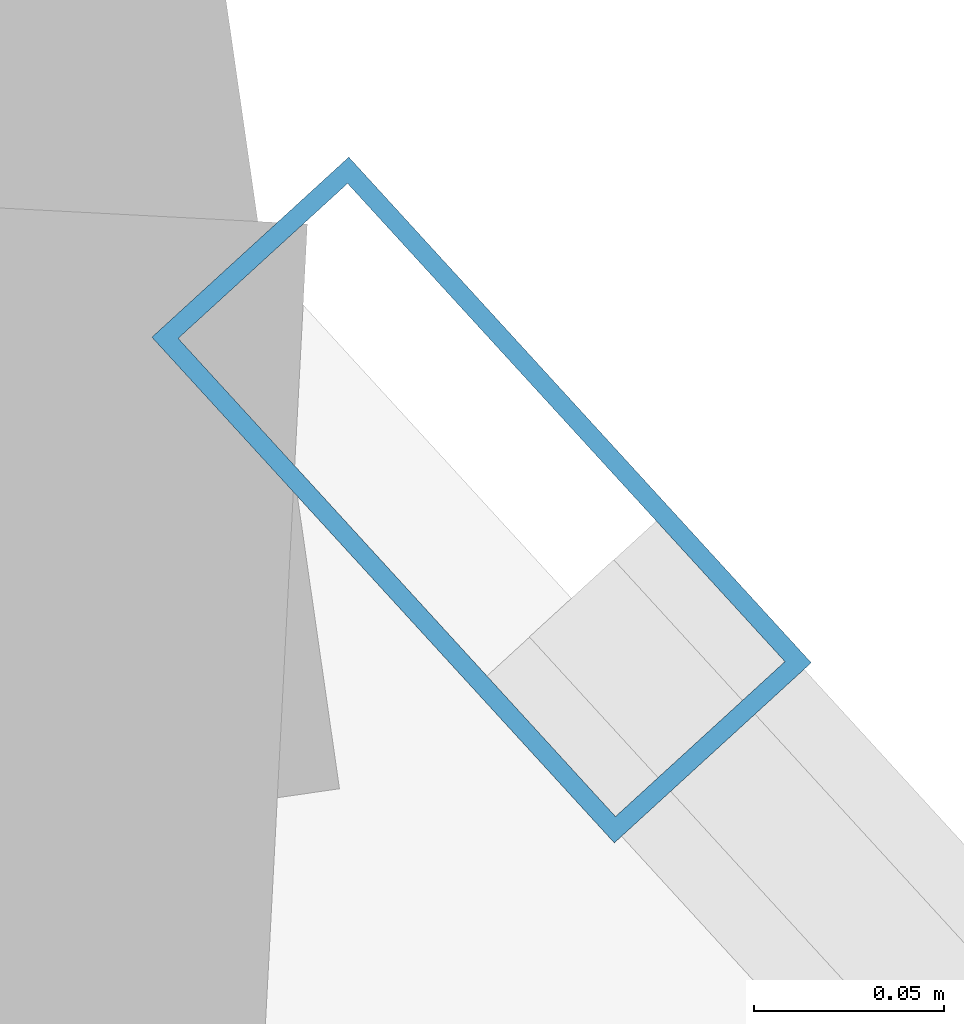
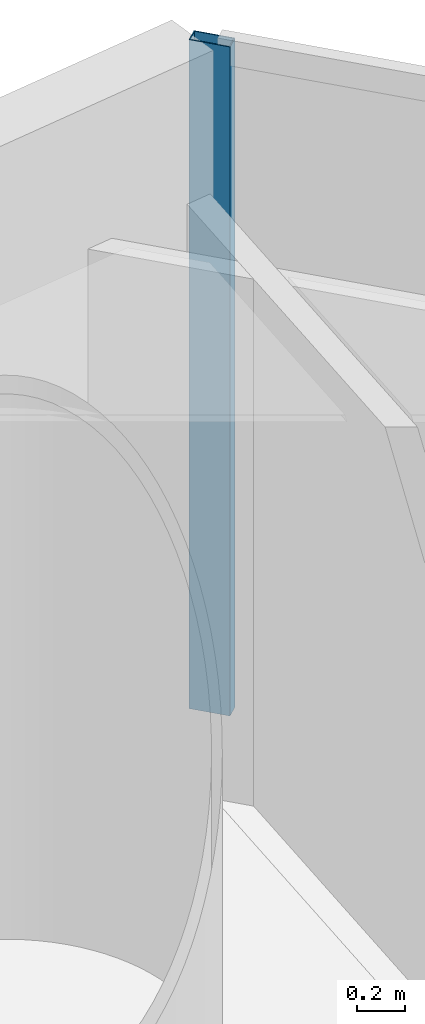
# One storey, part 15 of 22: 1 member, 1 element without a shape of its own.
"""IFC4 building model written with IfcOpenShell, lengths in metres."""

from ifc_helpers import new_model, si_unit, direction, frame, origin, origin_2d, place, context, subcontext, project, spatial, hollow_rectangle, extrude, material, layer, layer_set, material_profile, profile_set, type_object, element, aggregate, save


model = new_model("IFC4")

# Units and contexts
model_context = context("Model", 3, precision=1e-05, world=origin(), true_north=direction((0.0, 1.0)))
body_context = subcontext(model_context, "Body", "Model", "MODEL_VIEW")
ifc_project = project(units=[si_unit("LENGTHUNIT", "METRE"), si_unit("AREAUNIT", "SQUARE_METRE"), si_unit("VOLUMEUNIT", "CUBIC_METRE"), si_unit("PLANEANGLEUNIT", "RADIAN"), si_unit("MASSUNIT", "GRAM", prefix="KILO")], contexts=[model_context])

# Site, building, storey
site_placement = place(None, origin())
site = spatial("IfcSite", under=ifc_project, at=site_placement, CompositionType="ELEMENT")
building_placement = place(site_placement, origin())
building = spatial("IfcBuilding", under=site, at=building_placement, Name="Qianvela Tower", CompositionType="ELEMENT")
storey_placement = place(building_placement, frame((0.0, 0.0, 44.199951171875)))
storey = spatial("IfcBuildingStorey", under=building, at=storey_placement, Name="L10", CompositionType="ELEMENT", Elevation=44.199951171875)

# Curtain wall, member
ifc_material_1 = material(Name="Anodised Architectural Aluminium and Low-E Glass", Category="aluminium")
ifc_layer = layer(ifc_material_1, 0.179931640625)
ifc_layer_set = layer_set([ifc_layer], Name="Anodised Architectural Aluminium and Low-E Glass")
curtain_wall_type = type_object("IfcCurtainWallType", Name="CW-COLIV-Z12", PredefinedType="USERDEFINED", material=ifc_layer_set)
curtain_wall_placement = place(storey_placement, origin())
curtain_wall = element("IfcCurtainWall", 1, at=curtain_wall_placement, inside=storey, type_object=curtain_wall_type, Name="L10 CW-COLIV-Z12 Curtain Wall 02C", ObjectType="CURTAIN_WALL_SYSTEM", PredefinedType="USERDEFINED")
ifc_material_2 = material(Name="Anodised Architectural Aluminium 6063-T6", Category="aluminium")
ifc_material_profile = material_profile(ifc_material_2, hollow_rectangle(XDim=0.070068359375, YDim=0.179931640625, WallThickness=0.0048828125, at=origin_2d()), Name="ALU-MULL-70x180")
ifc_profile_set = profile_set([ifc_material_profile], Name="Anodised Architectural Aluminium 6063-T6")
member_type = type_object("IfcMemberType", Name="CW-COLIV-Z12-MULL", PredefinedType="MULLION", material=ifc_profile_set)
member_placement = place(storey_placement, frame((38.656005859375, 44.56982421875, 0.0), z_axis=(0.0, 0.0, 1.0), x_axis=(-0.737899751692, -0.674910332157, 0.0)))
member = element("IfcMember", 2, at=member_placement, type_object=member_type, Name="CW-3 mullion 2", PredefinedType="MULLION", context=body_context, shape_type="SweptSolid", body=[
    extrude(hollow_rectangle(XDim=0.070068359375, YDim=0.179931640625, WallThickness=0.0048828125, at=origin_2d()), origin(), (0.0, 0.0, 1.0), 3.400146484375),
])
aggregate(curtain_wall, [member])

save(model, "model.ifc")
